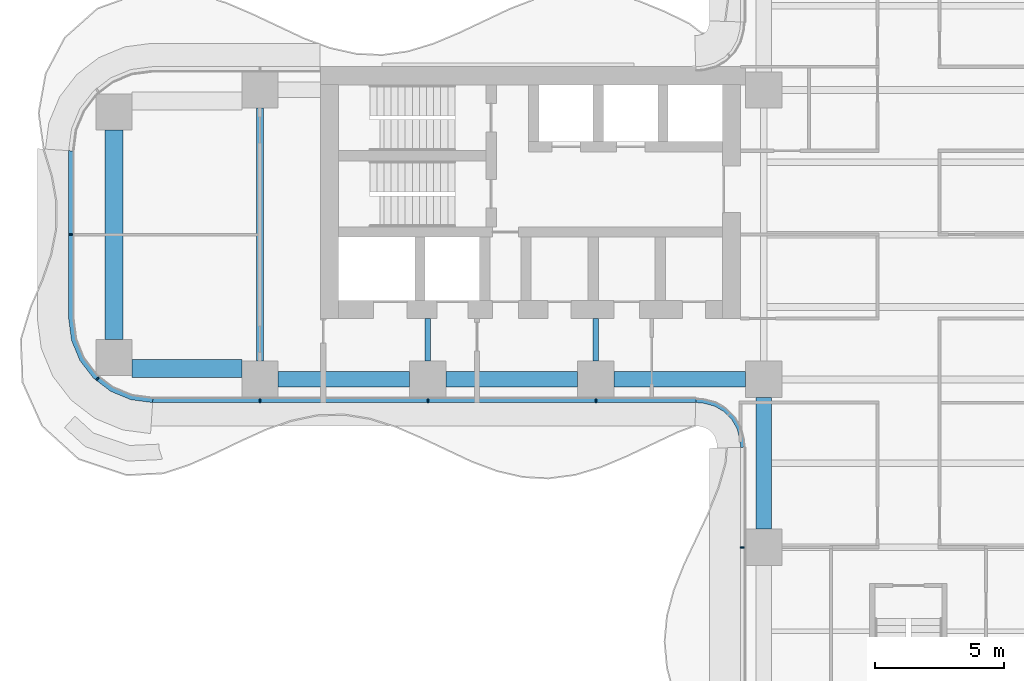
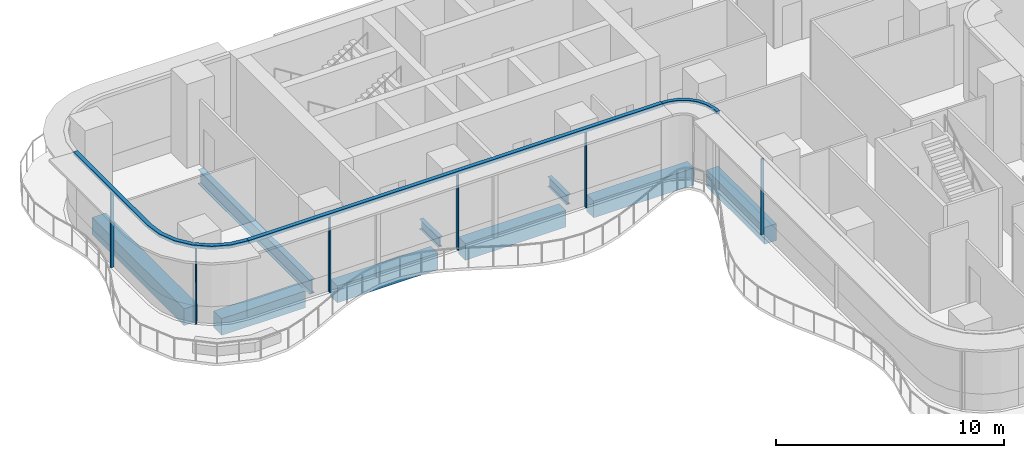
# One storey, part 3 of 22: 9 beams, 9 members, 4 elements without a shape of their own.
"""IFC4 building model written with IfcOpenShell, lengths in metres."""

from ifc_helpers import new_model, si_unit, direction, frame, origin, origin_2d, place, context, subcontext, project, spatial, polyline, rectangle, i_section, outline, extrude, source, transform, mapped, material, layer, layer_set, material_profile, profile_set, type_object, element, aggregate, save


model = new_model("IFC4")

# Units and contexts
model_context = context("Model", 3, precision=1e-05, world=origin(), true_north=direction((0.0, 1.0)))
body_context = subcontext(model_context, "Body", "Model", "MODEL_VIEW")
ifc_project = project(units=[si_unit("LENGTHUNIT", "METRE"), si_unit("AREAUNIT", "SQUARE_METRE"), si_unit("VOLUMEUNIT", "CUBIC_METRE"), si_unit("PLANEANGLEUNIT", "RADIAN"), si_unit("MASSUNIT", "GRAM", prefix="KILO")], contexts=[model_context])

# Site, building, storey
site_placement = place(None, origin())
site = spatial("IfcSite", under=ifc_project, at=site_placement, CompositionType="ELEMENT")
building_placement = place(site_placement, origin())
building = spatial("IfcBuilding", under=site, at=building_placement, Name="Trellis Farm Tower", CompositionType="ELEMENT")
storey_placement = place(building_placement, frame((0.0, 0.0, 70.0)))
storey = spatial("IfcBuildingStorey", under=building, at=storey_placement, Name="L14", CompositionType="ELEMENT", Elevation=70.0)

# Beams
ifc_material_1 = material(Name="Concrete C60/75", Category="concrete")
ifc_material_profile_1 = material_profile(ifc_material_1, rectangle(XDim=0.60009765625, YDim=0.89990234375, at=origin_2d()), Name="RC spandrel beam 600x900 C60/75")
ifc_profile_set_1 = profile_set([ifc_material_profile_1], Name="Concrete C60/75")
beam_type_1 = type_object("IfcBeamType", Name="RC spandrel beam 600x900 C60/75", PredefinedType="SPANDREL", material=ifc_profile_set_1)
shared_shape_1 = source(origin(), body_context, "Body", "SweptSolid", [
    extrude(rectangle(XDim=0.60009765625, YDim=0.89990234375, at=origin_2d()), origin(), (0.0, 0.0, 1.0), 5.099853515625),
])
for number, where, z_axis, x_axis, name in (
    (1, (-24.39990234375, -5.60009765625, -0.699951171875), (1.0, 0.0, 0.0), (0.0, 1.0, 0.0), "Girder"),
    (2, (-17.89990234375, -5.60009765625, -0.699951171875), (1.0, 0.0, 0.0), (0.0, 1.0, 0.0), "Girder"),
    (3, (-11.39990234375, -5.60009765625, -0.699951171875), (1.0, 0.0, 0.0), (0.0, 1.0, 0.0), "Girder"),
    (4, (-5.60009765625, -11.39990234375, -0.699951171875), (0.0, 1.0, 0.0), (-1.0, 0.0, 0.0), "Girder"),
):
    element("IfcBeam", number, at=place(storey_placement, frame(where, z_axis=z_axis, x_axis=x_axis)), inside=storey, type_object=beam_type_1, Name=name, PredefinedType="SPANDREL", context=body_context, shape_type="MappedRepresentation", body=[
        mapped(shared_shape_1, transform((0.0, 0.0, 0.0))),
    ])
ifc_material_2 = material(Name="Steel S355", Category="steel")
ifc_material_profile_2 = material_profile(ifc_material_2, i_section(OverallWidth=0.2666015625, OverallDepth=0.76220703125, WebThickness=0.014404296875, FlangeThickness=0.021484375, FilletRadius=0.0166015625, at=origin_2d()), Name="UB 762x267x173")
ifc_profile_set_2 = profile_set([ifc_material_profile_2], Name="Steel S355")
beam_type_2 = type_object("IfcBeamType", Name="UB 762x267x173", PredefinedType="BEAM", material=ifc_profile_set_2)
shared_shape_2 = source(origin(), body_context, "Body", "SweptSolid", [
    extrude(i_section(OverallWidth=0.2666015625, OverallDepth=0.76220703125, WebThickness=0.014404296875, FlangeThickness=0.021484375, FilletRadius=0.0166015625, at=origin_2d()), origin(), (0.0, 0.0, 1.0), 9.7998046875),
])
beam_1_placement = place(storey_placement, frame((-25.10009765625, -4.89990234375, -0.631103515625), z_axis=(0.0, 1.0, 0.0), x_axis=(-1.0, 0.0, 0.0)))
element("IfcBeam", 5, at=beam_1_placement, inside=storey, type_object=beam_type_2, Name="Girder", PredefinedType="BEAM", context=body_context, shape_type="MappedRepresentation", body=[
    mapped(shared_shape_2, transform((0.0, 0.0, 0.0))),
])
ifc_material_profile_3 = material_profile(ifc_material_1, rectangle(XDim=0.699951171875, YDim=0.89990234375, at=origin_2d()), Name="RC spandrel beam 700x900 C60/75")
ifc_profile_set_3 = profile_set([ifc_material_profile_3], Name="Concrete C60/75")
beam_type_3 = type_object("IfcBeamType", Name="RC spandrel beam 700x900 C60/75", PredefinedType="SPANDREL", material=ifc_profile_set_3)
shared_shape_3 = source(origin(), body_context, "Body", "SweptSolid", [
    extrude(rectangle(XDim=0.699951171875, YDim=0.89990234375, at=origin_2d()), origin(), (0.0, 0.0, 1.0), 4.25),
])
beam_2_placement = place(storey_placement, frame((-30.050048828125, -5.175048828125, -0.699951171875), z_axis=(1.0, 0.0, 0.0), x_axis=(0.0, 1.0, 0.0)))
element("IfcBeam", 6, at=beam_2_placement, inside=storey, type_object=beam_type_3, Name="Girder", PredefinedType="SPANDREL", context=body_context, shape_type="MappedRepresentation", body=[
    mapped(shared_shape_3, transform((0.0, 0.0, 0.0))),
])
shared_shape_4 = source(origin(), body_context, "Body", "SweptSolid", [
    extrude(rectangle(XDim=0.699951171875, YDim=0.89990234375, at=origin_2d()), origin(), (0.0, 0.0, 1.0), 8.10009765625),
])
beam_3_placement = place(storey_placement, frame((-30.75, -4.050048828125, -0.699951171875), z_axis=(0.0, 1.0, 0.0), x_axis=(-1.0, 0.0, 0.0)))
element("IfcBeam", 7, at=beam_3_placement, inside=storey, type_object=beam_type_3, Name="Girder", PredefinedType="SPANDREL", context=body_context, shape_type="MappedRepresentation", body=[
    mapped(shared_shape_4, transform((0.0, 0.0, 0.0))),
])
ifc_material_profile_4 = material_profile(ifc_material_2, i_section(OverallWidth=0.209228515625, OverallDepth=0.533203125, WebThickness=0.010009765625, FlangeThickness=0.015625, FilletRadius=0.0126953125, at=origin_2d()), Name="UB 533x210x92")
ifc_profile_set_4 = profile_set([ifc_material_profile_4], Name="Steel S355")
beam_type_4 = type_object("IfcBeamType", Name="UB 533x210x92", PredefinedType="BEAM", material=ifc_profile_set_4)
shared_shape_5 = source(origin(), body_context, "Body", "SweptSolid", [
    extrude(i_section(OverallWidth=0.209228515625, OverallDepth=0.533203125, WebThickness=0.010009765625, FlangeThickness=0.015625, FilletRadius=0.0126953125, at=origin_2d()), origin(), (0.0, 0.0, 1.0), 1.64990234375),
])
for number, where, z_axis, x_axis, name in (
    (8, (-18.60009765625, -4.89990234375, -0.5166015625), (0.0, 1.0, 0.0), (-1.0, 0.0, 0.0), "Girder"),
    (9, (-12.10009765625, -4.89990234375, -0.5166015625), (0.0, 1.0, 0.0), (-1.0, 0.0, 0.0), "Girder"),
):
    element("IfcBeam", number, at=place(storey_placement, frame(where, z_axis=z_axis, x_axis=x_axis)), inside=storey, type_object=beam_type_4, Name=name, PredefinedType="BEAM", context=body_context, shape_type="MappedRepresentation", body=[
        mapped(shared_shape_5, transform((0.0, 0.0, 0.0))),
    ])

# Curtain wall, members
ifc_material_3 = material(Name="Aluminium and glass curtain wall", Category="aluminium")
ifc_layer_1 = layer(ifc_material_3, 0.18994140625)
ifc_layer_set_1 = layer_set([ifc_layer_1], Name="RIBBON CURTAIN WALL CW1")
curtain_wall_type_1 = type_object("IfcCurtainWallType", Name="RIBBON CURTAIN WALL CW1", PredefinedType="NOTDEFINED", material=ifc_layer_set_1)
placement_1 = place(storey_placement, origin())
curtain_wall_1 = element("IfcCurtainWall", 10, at=placement_1, inside=storey, type_object=curtain_wall_type_1, Name="CW1 001", PredefinedType="NOTDEFINED")
ifc_material_4 = material(Name="Aluminium extrusion 6063-T6", Category="aluminium")
ifc_material_profile_5 = material_profile(ifc_material_4, rectangle(XDim=0.06005859375, YDim=0.14990234375, at=origin_2d()), Name="MULLION 60x150")
ifc_profile_set_5 = profile_set([ifc_material_profile_5], Name="Aluminium extrusion 6063-T6")
member_type_1 = type_object("IfcMemberType", Name="CW1 MULLION 60x150", PredefinedType="MULLION", material=ifc_profile_set_5)
shared_shape_6 = source(origin(), body_context, "Body", "SweptSolid", [
    extrude(rectangle(XDim=0.06005859375, YDim=0.14990234375, at=origin_2d()), origin(), (0.0, 0.0, 1.0), 4.070068359375),
])
member_1_placement = place(storey_placement, frame((-25.10009765625, -6.425048828125, 0.0), z_axis=(0.0, 0.0, 1.0), x_axis=(1.0, 0.0, 0.0)))
member_1 = element("IfcMember", 11, at=member_1_placement, type_object=member_type_1, Name="MU1 001-01", PredefinedType="MULLION", context=body_context, shape_type="MappedRepresentation", body=[
    mapped(shared_shape_6, transform((0.0, 0.0, 0.0))),
])
member_2_placement = place(storey_placement, frame((-18.60009765625, -6.425048828125, 0.0), z_axis=(0.0, 0.0, 1.0), x_axis=(1.0, 0.0, 0.0)))
member_2 = element("IfcMember", 12, at=member_2_placement, type_object=member_type_1, Name="MU1 001-02", PredefinedType="MULLION", context=body_context, shape_type="MappedRepresentation", body=[
    mapped(shared_shape_6, transform((0.0, 0.0, 0.0))),
])
member_3_placement = place(storey_placement, frame((-12.10009765625, -6.425048828125, 0.0), z_axis=(0.0, 0.0, 1.0), x_axis=(1.0, 0.0, 0.0)))
member_3 = element("IfcMember", 13, at=member_3_placement, type_object=member_type_1, Name="MU1 001-03", PredefinedType="MULLION", context=body_context, shape_type="MappedRepresentation", body=[
    mapped(shared_shape_6, transform((0.0, 0.0, 0.0))),
])

# Curtain wall, member
curtain_wall_2 = element("IfcCurtainWall", 14, at=placement_1, inside=storey, type_object=curtain_wall_type_1, Name="CW1 002", PredefinedType="NOTDEFINED")
member_4_placement = place(storey_placement, frame((-6.425048828125, -12.10009765625, 0.0), z_axis=(0.0, 0.0, 1.0), x_axis=(0.0, -1.0, 0.0)))
member_4 = element("IfcMember", 15, at=member_4_placement, type_object=member_type_1, Name="MU1 002-01", PredefinedType="MULLION", context=body_context, shape_type="MappedRepresentation", body=[
    mapped(shared_shape_6, transform((0.0, 0.0, 0.0))),
])
aggregate(curtain_wall_2, [member_4])

# Curtain wall, members
curtain_wall_3 = element("IfcCurtainWall", 16, at=placement_1, inside=storey, type_object=curtain_wall_type_1, Name="CW1 014", PredefinedType="NOTDEFINED")
member_5_placement = place(storey_placement, frame((-32.425048828125, 0.0, 0.0), z_axis=(0.0, 0.0, 1.0), x_axis=(0.0, -1.0, 0.0)))
member_5 = element("IfcMember", 17, at=member_5_placement, type_object=member_type_1, Name="MU1 014-01", PredefinedType="MULLION", context=body_context, shape_type="MappedRepresentation", body=[
    mapped(shared_shape_6, transform((0.0, 0.0, 0.0))),
])
member_6_placement = place(storey_placement, frame((-31.385498046875, -5.578369140625, 0.0), z_axis=(0.0, 0.0, 1.0), x_axis=(0.793353340291, -0.608761429009, 0.0)))
member_6 = element("IfcMember", 18, at=member_6_placement, type_object=member_type_1, Name="MU1 014-02", PredefinedType="MULLION", context=body_context, shape_type="MappedRepresentation", body=[
    mapped(shared_shape_6, transform((0.0, 0.0, 0.0))),
])

# Member
ifc_layer_2 = layer(ifc_material_4, 0.199951171875)
ifc_layer_set_2 = layer_set([ifc_layer_2], Name="Aluminium extrusion 6063-T6")
member_type_2 = type_object("IfcMemberType", Name="CW1 TRANSOM 200x180", PredefinedType="USERDEFINED", material=ifc_layer_set_2)
shared_shape_7 = source(origin(), body_context, "Body", "SweptSolid", [
    extrude(outline(polyline([(-29.25, -6.5), (-8.2314453125, -6.5), (-8.224853515625, -6.300048828125), (-29.23681640625, -6.300048828125), (-29.25, -6.5)])), origin(), (0.0, 0.0, 1.0), 0.179931640625),
])
placement_2 = place(storey_placement, frame((0.0, 0.0, 4.070068359375)))
member_7 = element("IfcMember", 19, at=placement_2, type_object=member_type_2, Name="TR1 001", ObjectType="TRANSOM", PredefinedType="USERDEFINED", context=body_context, shape_type="MappedRepresentation", body=[
    mapped(shared_shape_7, transform((0.0, 0.0, 0.0))),
])

aggregate(curtain_wall_1, [member_1, member_2, member_3, member_7])

# Curtain wall, member
ifc_layer_3 = layer(ifc_material_3, 0.166015625)
ifc_layer_set_3 = layer_set([ifc_layer_3], Name="WINTER GARDEN CURTAIN WALL CW3")
curtain_wall_type_2 = type_object("IfcCurtainWallType", Name="WINTER GARDEN CURTAIN WALL CW3", PredefinedType="NOTDEFINED", material=ifc_layer_set_3)
curtain_wall_4 = element("IfcCurtainWall", 20, at=placement_1, inside=storey, type_object=curtain_wall_type_2, Name="CW3 001", PredefinedType="NOTDEFINED")
ifc_layer_4 = layer(ifc_material_4, 0.169921875)
ifc_layer_set_4 = layer_set([ifc_layer_4], Name="Aluminium extrusion 6063-T6")
member_type_3 = type_object("IfcMemberType", Name="CW3 TRANSOM 170x150", PredefinedType="USERDEFINED", material=ifc_layer_set_4)
shared_shape_8 = source(origin(), body_context, "Body", "SweptSolid", [
    extrude(outline(polyline([(-8.2314453125, -6.5), (-8.01953125, -6.513916015625), (-7.91552734375, -6.527587890625), (-7.508544921875, -6.63671875), (-7.144287109375, -6.846923828125), (-6.846923828125, -7.144287109375), (-6.63671875, -7.508544921875), (-6.527587890625, -7.91552734375), (-6.513916015625, -8.01953125), (-6.5, -8.2314453125), (-6.330078125, -8.225830078125), (-6.3447265625, -8.0029296875), (-6.360595703125, -7.88232421875), (-6.478271484375, -7.44287109375), (-6.7109375, -7.0400390625), (-7.0400390625, -6.7109375), (-7.44287109375, -6.478271484375), (-7.88232421875, -6.360595703125), (-8.0029296875, -6.3447265625), (-8.225830078125, -6.330078125), (-8.2314453125, -6.5)])), origin(), (0.0, 0.0, 1.0), 0.14990234375),
])
member_8_placement = place(storey_placement, frame((0.0, 0.0, 4.10009765625)))
member_8 = element("IfcMember", 21, at=member_8_placement, type_object=member_type_3, Name="TR3 001", ObjectType="TRANSOM", PredefinedType="USERDEFINED", context=body_context, shape_type="MappedRepresentation", body=[
    mapped(shared_shape_8, transform((0.0, 0.0, 0.0))),
])
aggregate(curtain_wall_4, [member_8])

# Member
shared_shape_9 = source(origin(), body_context, "Body", "SweptSolid", [
    extrude(outline(polyline([(-32.5, 3.25), (-32.5, -3.25), (-32.38916015625, -4.091064453125), (-32.064697265625, -4.875), (-31.548095703125, -5.548095703125), (-30.875, -6.064697265625), (-30.091064453125, -6.38916015625), (-29.25, -6.5), (-29.23681640625, -6.300048828125), (-30.0390625, -6.1943359375), (-30.774169921875, -5.889892578125), (-31.405517578125, -5.405517578125), (-31.889892578125, -4.774169921875), (-32.1943359375, -4.0390625), (-32.300048828125, -3.23681640625), (-32.300048828125, 3.23681640625), (-32.5, 3.25)])), origin(), (0.0, 0.0, 1.0), 0.179931640625),
])
member_9 = element("IfcMember", 22, at=placement_2, type_object=member_type_2, Name="TR1 014", ObjectType="TRANSOM", PredefinedType="USERDEFINED", context=body_context, shape_type="MappedRepresentation", body=[
    mapped(shared_shape_9, transform((0.0, 0.0, 0.0))),
])

aggregate(curtain_wall_3, [member_5, member_6, member_9])

save(model, "model.ifc")
